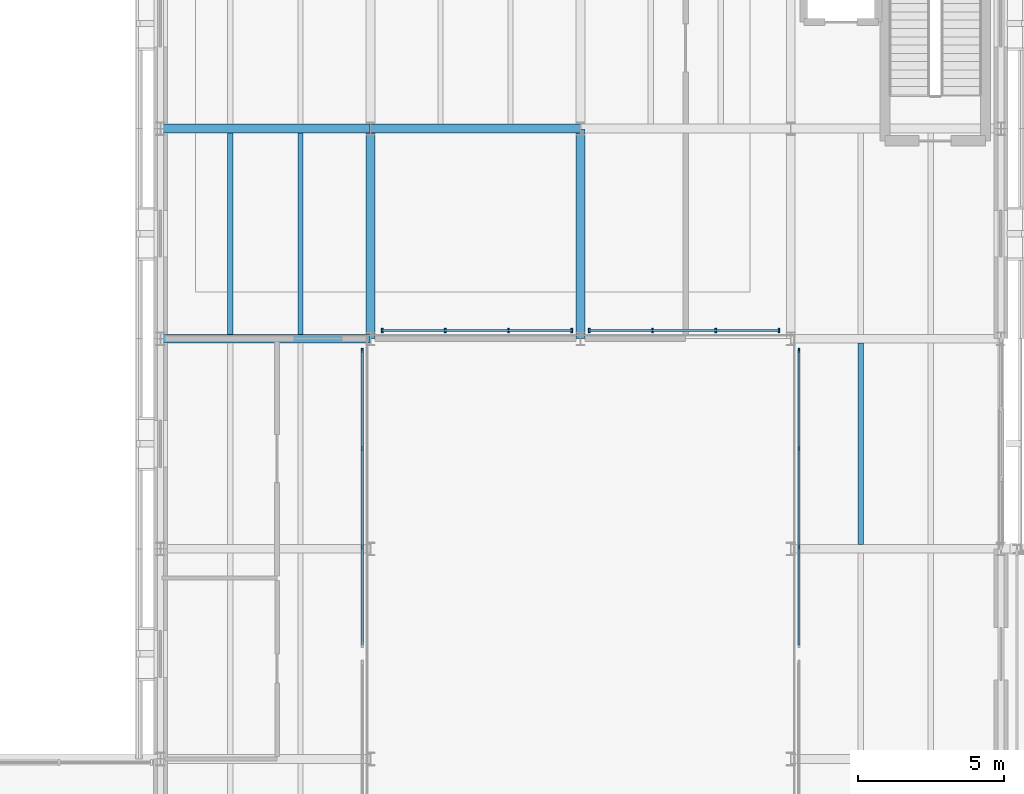
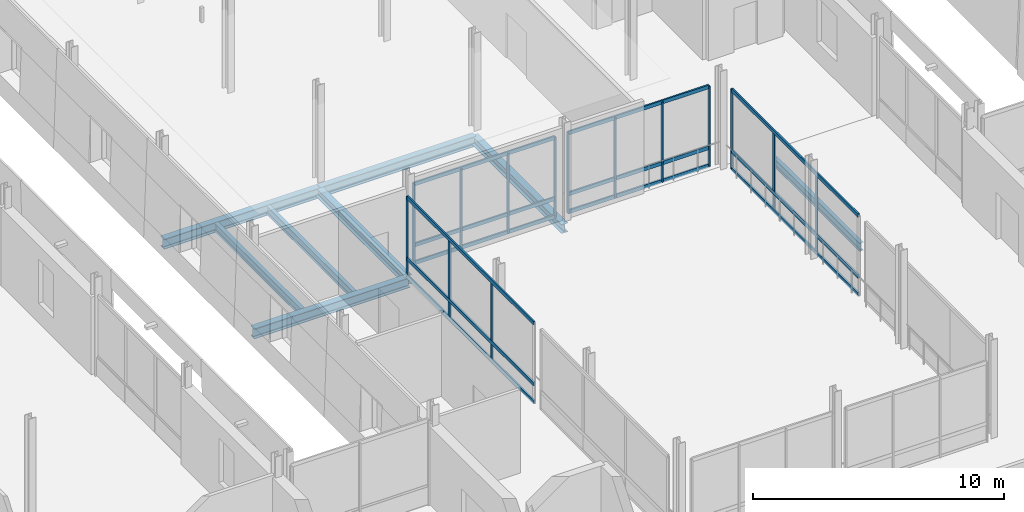
# One storey, part 30 of 121: 26 members, 8 beams, 4 elements without a shape of their own.
"""IFC4 building model written with IfcOpenShell, lengths in metres."""

from ifc_helpers import new_model, si_unit, direction, frame, origin, origin_2d, place, context, subcontext, project, spatial, rectangle, i_section, extrude, material, layer, layer_set, material_profile, profile_set, type_object, element, aggregate, save


model = new_model("IFC4")

# Units and contexts
model_context = context("Model", 3, precision=1e-05, world=origin(), true_north=direction((0.0, 1.0)))
body_context = subcontext(model_context, "Body", "Model", "MODEL_VIEW")
ifc_project = project(units=[si_unit("LENGTHUNIT", "METRE"), si_unit("AREAUNIT", "SQUARE_METRE"), si_unit("VOLUMEUNIT", "CUBIC_METRE"), si_unit("PLANEANGLEUNIT", "RADIAN"), si_unit("MASSUNIT", "GRAM", prefix="KILO")], contexts=[model_context])

# Site, building, storey
site_placement = place(None, origin())
site = spatial("IfcSite", under=ifc_project, at=site_placement, CompositionType="ELEMENT")
building_placement = place(site_placement, origin())
building = spatial("IfcBuilding", under=site, at=building_placement, Name="Narikvali Park Central Library", CompositionType="ELEMENT")
storey_placement = place(building_placement, frame((0.0, 0.0, 5.39990234375)))
storey = spatial("IfcBuildingStorey", under=building, at=storey_placement, Name="L01", CompositionType="ELEMENT", Elevation=5.39990234375)

# Curtain wall, members
ifc_material_1 = material(Name="Anodised Bronze Aluminium", Category="aluminium")
ifc_layer = layer(ifc_material_1, 0.219970703125, Name="Anodised Bronze Aluminium")
ifc_layer_set = layer_set([ifc_layer], Name="Anodised Bronze Aluminium")
curtain_wall_type = type_object("IfcCurtainWallType", Name="Atrium Tall Curtain Wall System", PredefinedType="NOTDEFINED", material=ifc_layer_set)
curtain_wall_1_placement = place(storey_placement, origin())
curtain_wall_1 = element("IfcCurtainWall", 1, at=curtain_wall_1_placement, inside=storey, type_object=curtain_wall_type, Name="Atrium Tall Curtain Wall System CW-INT-V4-L01-W2", PredefinedType="NOTDEFINED")
ifc_material_profile_1 = material_profile(ifc_material_1, rectangle(XDim=0.074951171875, YDim=0.179931640625, at=origin_2d()), Name="CW TRANSOM 75x180")
ifc_profile_set_1 = profile_set([ifc_material_profile_1], Name="Anodised Bronze Aluminium")
member_type_1 = type_object("IfcMemberType", Name="Curtain Wall Heavy Transom 75x180", PredefinedType="USERDEFINED", material=ifc_profile_set_1)
member_1_placement = place(storey_placement, frame((35.719970703125, 75.89990234375, 0.030029296875), z_axis=(0.0, 1.0, 0.0), x_axis=(-1.0, 0.0, 0.0)))
member_1 = element("IfcMember", 2, at=member_1_placement, type_object=member_type_1, Name="CW-INT-V4-L01-W2 Transom 00", ObjectType="TRANSOM", PredefinedType="USERDEFINED", context=body_context, shape_type="SweptSolid", body=[
    extrude(rectangle(XDim=0.074951171875, YDim=0.179931640625, at=origin_2d()), origin(), (0.0, 0.0, 1.0), 10.10009765625),
])
member_2_placement = place(storey_placement, frame((35.719970703125, 75.89990234375, 0.900146484375), z_axis=(0.0, 1.0, 0.0), x_axis=(-1.0, 0.0, 0.0)))
member_2 = element("IfcMember", 3, at=member_2_placement, type_object=member_type_1, Name="CW-INT-V4-L01-W2 Transom 01", ObjectType="TRANSOM", PredefinedType="USERDEFINED", context=body_context, shape_type="SweptSolid", body=[
    extrude(rectangle(XDim=0.074951171875, YDim=0.179931640625, at=origin_2d()), origin(), (0.0, 0.0, 1.0), 10.10009765625),
])
member_3_placement = place(storey_placement, frame((35.719970703125, 75.89990234375, 3.8701171875), z_axis=(0.0, 1.0, 0.0), x_axis=(-1.0, 0.0, 0.0)))
member_3 = element("IfcMember", 4, at=member_3_placement, type_object=member_type_1, Name="CW-INT-V4-L01-W2 Transom 02", ObjectType="TRANSOM", PredefinedType="USERDEFINED", context=body_context, shape_type="SweptSolid", body=[
    extrude(rectangle(XDim=0.074951171875, YDim=0.179931640625, at=origin_2d()), origin(), (0.0, 0.0, 1.0), 10.10009765625),
])

curtain_wall_2_placement = place(storey_placement, origin())
curtain_wall_2 = element("IfcCurtainWall", 5, at=curtain_wall_2_placement, inside=storey, type_object=curtain_wall_type, Name="Atrium Tall Curtain Wall System CW-INT-V4-L01-E2", PredefinedType="NOTDEFINED")
member_4_placement = place(storey_placement, frame((50.679931640625, 75.89990234375, 0.030029296875), z_axis=(0.0, 1.0, 0.0), x_axis=(-1.0, 0.0, 0.0)))
member_4 = element("IfcMember", 6, at=member_4_placement, type_object=member_type_1, Name="CW-INT-V4-L01-E2 Transom 00", ObjectType="TRANSOM", PredefinedType="USERDEFINED", context=body_context, shape_type="SweptSolid", body=[
    extrude(rectangle(XDim=0.074951171875, YDim=0.179931640625, at=origin_2d()), origin(), (0.0, 0.0, 1.0), 10.10009765625),
])
member_5_placement = place(storey_placement, frame((50.679931640625, 75.89990234375, 0.900146484375), z_axis=(0.0, 1.0, 0.0), x_axis=(-1.0, 0.0, 0.0)))
member_5 = element("IfcMember", 7, at=member_5_placement, type_object=member_type_1, Name="CW-INT-V4-L01-E2 Transom 01", ObjectType="TRANSOM", PredefinedType="USERDEFINED", context=body_context, shape_type="SweptSolid", body=[
    extrude(rectangle(XDim=0.074951171875, YDim=0.179931640625, at=origin_2d()), origin(), (0.0, 0.0, 1.0), 10.10009765625),
])
member_6_placement = place(storey_placement, frame((50.679931640625, 75.89990234375, 3.8701171875), z_axis=(0.0, 1.0, 0.0), x_axis=(-1.0, 0.0, 0.0)))
member_6 = element("IfcMember", 8, at=member_6_placement, type_object=member_type_1, Name="CW-INT-V4-L01-E2 Transom 02", ObjectType="TRANSOM", PredefinedType="USERDEFINED", context=body_context, shape_type="SweptSolid", body=[
    extrude(rectangle(XDim=0.074951171875, YDim=0.179931640625, at=origin_2d()), origin(), (0.0, 0.0, 1.0), 10.10009765625),
])

curtain_wall_3_placement = place(storey_placement, origin())
curtain_wall_3 = element("IfcCurtainWall", 9, at=curtain_wall_3_placement, inside=storey, type_object=curtain_wall_type, Name="Atrium Tall Curtain Wall System CW-INT-V4-L01-N1", PredefinedType="NOTDEFINED")
member_7_placement = place(storey_placement, frame((36.39990234375, 86.679931640625, 0.030029296875), z_axis=(1.0, 0.0, 0.0), x_axis=(0.0, 1.0, 0.0)))
member_7 = element("IfcMember", 10, at=member_7_placement, type_object=member_type_1, Name="CW-INT-V4-L01-N1 Transom 00", ObjectType="TRANSOM", PredefinedType="USERDEFINED", context=body_context, shape_type="SweptSolid", body=[
    extrude(rectangle(XDim=0.074951171875, YDim=0.179931640625, at=origin_2d()), origin(), (0.0, 0.0, 1.0), 6.5),
])
member_8_placement = place(storey_placement, frame((36.39990234375, 86.679931640625, 0.900146484375), z_axis=(1.0, 0.0, 0.0), x_axis=(0.0, 1.0, 0.0)))
member_8 = element("IfcMember", 11, at=member_8_placement, type_object=member_type_1, Name="CW-INT-V4-L01-N1 Transom 01", ObjectType="TRANSOM", PredefinedType="USERDEFINED", context=body_context, shape_type="SweptSolid", body=[
    extrude(rectangle(XDim=0.074951171875, YDim=0.179931640625, at=origin_2d()), origin(), (0.0, 0.0, 1.0), 6.5),
])
member_9_placement = place(storey_placement, frame((36.39990234375, 86.679931640625, 3.8701171875), z_axis=(1.0, 0.0, 0.0), x_axis=(0.0, 1.0, 0.0)))
member_9 = element("IfcMember", 12, at=member_9_placement, type_object=member_type_1, Name="CW-INT-V4-L01-N1 Transom 02", ObjectType="TRANSOM", PredefinedType="USERDEFINED", context=body_context, shape_type="SweptSolid", body=[
    extrude(rectangle(XDim=0.074951171875, YDim=0.179931640625, at=origin_2d()), origin(), (0.0, 0.0, 1.0), 6.5),
])

curtain_wall_4_placement = place(storey_placement, origin())
curtain_wall_4 = element("IfcCurtainWall", 13, at=curtain_wall_4_placement, inside=storey, type_object=curtain_wall_type, Name="Atrium Tall Curtain Wall System CW-INT-V4-L01-N2", PredefinedType="NOTDEFINED")
member_10_placement = place(storey_placement, frame((43.5, 86.679931640625, 0.030029296875), z_axis=(1.0, 0.0, 0.0), x_axis=(0.0, 1.0, 0.0)))
member_10 = element("IfcMember", 14, at=member_10_placement, type_object=member_type_1, Name="CW-INT-V4-L01-N2 Transom 00", ObjectType="TRANSOM", PredefinedType="USERDEFINED", context=body_context, shape_type="SweptSolid", body=[
    extrude(rectangle(XDim=0.074951171875, YDim=0.179931640625, at=origin_2d()), origin(), (0.0, 0.0, 1.0), 6.5),
])
member_11_placement = place(storey_placement, frame((43.5, 86.679931640625, 0.900146484375), z_axis=(1.0, 0.0, 0.0), x_axis=(0.0, 1.0, 0.0)))
member_11 = element("IfcMember", 15, at=member_11_placement, type_object=member_type_1, Name="CW-INT-V4-L01-N2 Transom 01", ObjectType="TRANSOM", PredefinedType="USERDEFINED", context=body_context, shape_type="SweptSolid", body=[
    extrude(rectangle(XDim=0.074951171875, YDim=0.179931640625, at=origin_2d()), origin(), (0.0, 0.0, 1.0), 6.5),
])
member_12_placement = place(storey_placement, frame((43.5, 86.679931640625, 3.8701171875), z_axis=(1.0, 0.0, 0.0), x_axis=(0.0, 1.0, 0.0)))
member_12 = element("IfcMember", 16, at=member_12_placement, type_object=member_type_1, Name="CW-INT-V4-L01-N2 Transom 02", ObjectType="TRANSOM", PredefinedType="USERDEFINED", context=body_context, shape_type="SweptSolid", body=[
    extrude(rectangle(XDim=0.074951171875, YDim=0.179931640625, at=origin_2d()), origin(), (0.0, 0.0, 1.0), 6.5),
])

# Member
ifc_material_profile_2 = material_profile(ifc_material_1, rectangle(XDim=0.06005859375, YDim=0.14990234375, at=origin_2d()), Name="CW MULLION 60x150")
ifc_profile_set_2 = profile_set([ifc_material_profile_2], Name="Anodised Bronze Aluminium")
member_type_2 = type_object("IfcMemberType", Name="Curtain Wall Mullion 60x150", PredefinedType="MULLION", material=ifc_profile_set_2)
member_13_placement = place(storey_placement, frame((35.719970703125, 79.2666015625, -0.010009765625), z_axis=(0.0, 0.0, 1.0), x_axis=(1.0, 0.0, 0.0)))
member_13 = element("IfcMember", 17, at=member_13_placement, type_object=member_type_2, Name="CW-INT-V4-L01-W2 Mullion 01", PredefinedType="MULLION", context=body_context, shape_type="SweptSolid", body=[
    extrude(rectangle(XDim=0.06005859375, YDim=0.14990234375, at=origin_2d()), origin(), (0.0, 0.0, 1.0), 3.91015625),
])

member_14_placement = place(storey_placement, frame((35.719970703125, 82.63330078125, -0.010009765625), z_axis=(0.0, 0.0, 1.0), x_axis=(1.0, 0.0, 0.0)))
member_14 = element("IfcMember", 18, at=member_14_placement, type_object=member_type_2, Name="CW-INT-V4-L01-W2 Mullion 02", PredefinedType="MULLION", context=body_context, shape_type="SweptSolid", body=[
    extrude(rectangle(XDim=0.06005859375, YDim=0.14990234375, at=origin_2d()), origin(), (0.0, 0.0, 1.0), 3.91015625),
])

member_15_placement = place(storey_placement, frame((35.719970703125, 86.0, -0.010009765625), z_axis=(0.0, 0.0, 1.0), x_axis=(1.0, 0.0, 0.0)))
member_15 = element("IfcMember", 19, at=member_15_placement, type_object=member_type_2, Name="CW-INT-V4-L01-W2 Mullion 03", PredefinedType="MULLION", context=body_context, shape_type="SweptSolid", body=[
    extrude(rectangle(XDim=0.06005859375, YDim=0.14990234375, at=origin_2d()), origin(), (0.0, 0.0, 1.0), 3.91015625),
])

aggregate(curtain_wall_1, [member_13, member_14, member_15, member_1, member_2, member_3])

member_16_placement = place(storey_placement, frame((50.679931640625, 79.2666015625, -0.010009765625), z_axis=(0.0, 0.0, 1.0), x_axis=(1.0, 0.0, 0.0)))
member_16 = element("IfcMember", 20, at=member_16_placement, type_object=member_type_2, Name="CW-INT-V4-L01-E2 Mullion 01", PredefinedType="MULLION", context=body_context, shape_type="SweptSolid", body=[
    extrude(rectangle(XDim=0.06005859375, YDim=0.14990234375, at=origin_2d()), origin(), (0.0, 0.0, 1.0), 3.91015625),
])

member_17_placement = place(storey_placement, frame((50.679931640625, 82.63330078125, -0.010009765625), z_axis=(0.0, 0.0, 1.0), x_axis=(1.0, 0.0, 0.0)))
member_17 = element("IfcMember", 21, at=member_17_placement, type_object=member_type_2, Name="CW-INT-V4-L01-E2 Mullion 02", PredefinedType="MULLION", context=body_context, shape_type="SweptSolid", body=[
    extrude(rectangle(XDim=0.06005859375, YDim=0.14990234375, at=origin_2d()), origin(), (0.0, 0.0, 1.0), 3.91015625),
])

member_18_placement = place(storey_placement, frame((50.679931640625, 86.0, -0.010009765625), z_axis=(0.0, 0.0, 1.0), x_axis=(1.0, 0.0, 0.0)))
member_18 = element("IfcMember", 22, at=member_18_placement, type_object=member_type_2, Name="CW-INT-V4-L01-E2 Mullion 03", PredefinedType="MULLION", context=body_context, shape_type="SweptSolid", body=[
    extrude(rectangle(XDim=0.06005859375, YDim=0.14990234375, at=origin_2d()), origin(), (0.0, 0.0, 1.0), 3.91015625),
])

aggregate(curtain_wall_2, [member_16, member_17, member_18, member_4, member_5, member_6])

member_19_placement = place(storey_placement, frame((36.39990234375, 86.679931640625, -0.010009765625), z_axis=(0.0, 0.0, 1.0), x_axis=(1.0, 0.0, 0.0)))
member_19 = element("IfcMember", 23, at=member_19_placement, type_object=member_type_2, Name="CW-INT-V4-L01-N1 Mullion 00", PredefinedType="MULLION", context=body_context, shape_type="SweptSolid", body=[
    extrude(rectangle(XDim=0.06005859375, YDim=0.14990234375, at=origin_2d()), origin(), (0.0, 0.0, 1.0), 3.91015625),
])

member_20_placement = place(storey_placement, frame((38.566650390625, 86.679931640625, -0.010009765625), z_axis=(0.0, 0.0, 1.0), x_axis=(1.0, 0.0, 0.0)))
member_20 = element("IfcMember", 24, at=member_20_placement, type_object=member_type_2, Name="CW-INT-V4-L01-N1 Mullion 01", PredefinedType="MULLION", context=body_context, shape_type="SweptSolid", body=[
    extrude(rectangle(XDim=0.06005859375, YDim=0.14990234375, at=origin_2d()), origin(), (0.0, 0.0, 1.0), 3.91015625),
])

member_21_placement = place(storey_placement, frame((40.7333984375, 86.679931640625, -0.010009765625), z_axis=(0.0, 0.0, 1.0), x_axis=(1.0, 0.0, 0.0)))
member_21 = element("IfcMember", 25, at=member_21_placement, type_object=member_type_2, Name="CW-INT-V4-L01-N1 Mullion 02", PredefinedType="MULLION", context=body_context, shape_type="SweptSolid", body=[
    extrude(rectangle(XDim=0.06005859375, YDim=0.14990234375, at=origin_2d()), origin(), (0.0, 0.0, 1.0), 3.91015625),
])

member_22_placement = place(storey_placement, frame((42.89990234375, 86.679931640625, -0.010009765625), z_axis=(0.0, 0.0, 1.0), x_axis=(1.0, 0.0, 0.0)))
member_22 = element("IfcMember", 26, at=member_22_placement, type_object=member_type_2, Name="CW-INT-V4-L01-N1 Mullion 03", PredefinedType="MULLION", context=body_context, shape_type="SweptSolid", body=[
    extrude(rectangle(XDim=0.06005859375, YDim=0.14990234375, at=origin_2d()), origin(), (0.0, 0.0, 1.0), 3.91015625),
])

aggregate(curtain_wall_3, [member_19, member_20, member_21, member_22, member_7, member_8, member_9])

member_23_placement = place(storey_placement, frame((43.5, 86.679931640625, -0.010009765625), z_axis=(0.0, 0.0, 1.0), x_axis=(1.0, 0.0, 0.0)))
member_23 = element("IfcMember", 27, at=member_23_placement, type_object=member_type_2, Name="CW-INT-V4-L01-N2 Mullion 00", PredefinedType="MULLION", context=body_context, shape_type="SweptSolid", body=[
    extrude(rectangle(XDim=0.06005859375, YDim=0.14990234375, at=origin_2d()), origin(), (0.0, 0.0, 1.0), 3.91015625),
])

member_24_placement = place(storey_placement, frame((45.666748046875, 86.679931640625, -0.010009765625), z_axis=(0.0, 0.0, 1.0), x_axis=(1.0, 0.0, 0.0)))
member_24 = element("IfcMember", 28, at=member_24_placement, type_object=member_type_2, Name="CW-INT-V4-L01-N2 Mullion 01", PredefinedType="MULLION", context=body_context, shape_type="SweptSolid", body=[
    extrude(rectangle(XDim=0.06005859375, YDim=0.14990234375, at=origin_2d()), origin(), (0.0, 0.0, 1.0), 3.91015625),
])

member_25_placement = place(storey_placement, frame((47.833251953125, 86.679931640625, -0.010009765625), z_axis=(0.0, 0.0, 1.0), x_axis=(1.0, 0.0, 0.0)))
member_25 = element("IfcMember", 29, at=member_25_placement, type_object=member_type_2, Name="CW-INT-V4-L01-N2 Mullion 02", PredefinedType="MULLION", context=body_context, shape_type="SweptSolid", body=[
    extrude(rectangle(XDim=0.06005859375, YDim=0.14990234375, at=origin_2d()), origin(), (0.0, 0.0, 1.0), 3.91015625),
])

member_26_placement = place(storey_placement, frame((50.0, 86.679931640625, -0.010009765625), z_axis=(0.0, 0.0, 1.0), x_axis=(1.0, 0.0, 0.0)))
member_26 = element("IfcMember", 30, at=member_26_placement, type_object=member_type_2, Name="CW-INT-V4-L01-N2 Mullion 03", PredefinedType="MULLION", context=body_context, shape_type="SweptSolid", body=[
    extrude(rectangle(XDim=0.06005859375, YDim=0.14990234375, at=origin_2d()), origin(), (0.0, 0.0, 1.0), 3.91015625),
])

aggregate(curtain_wall_4, [member_23, member_24, member_25, member_26, member_10, member_11, member_12])

# Beams
ifc_material_2 = material(Name="Steel S355", Category="steel")
ifc_material_profile_3 = material_profile(ifc_material_2, i_section(OverallWidth=0.181884765625, OverallDepth=0.404052734375, WebThickness=0.009765625, FlangeThickness=0.015380859375, FilletRadius=0.02099609375, at=origin_2d()), Name="IPEO 400")
ifc_profile_set_3 = profile_set([ifc_material_profile_3], Name="Steel S355")
beam_type_1 = type_object("IfcBeamType", Name="Gallery Floor Joist IPEO400", PredefinedType="JOIST", material=ifc_profile_set_3)
for number, where, z_axis, x_axis, name in (
    (31, (31.199951171875, 86.550048828125, -0.48193359375), (0.0, 1.0, 0.0), (-1.0, 0.0, 0.0), "V4 L01 Composite Joist 1"),
    (32, (33.60009765625, 86.550048828125, -0.48193359375), (0.0, 1.0, 0.0), (-1.0, 0.0, 0.0), "V4 L01 Composite Joist 2"),
    (33, (52.800048828125, 79.35009765625, -0.48193359375), (0.0, 1.0, 0.0), (-1.0, 0.0, 0.0), "V4 L01 Composite Joist 1"),
):
    element("IfcBeam", number, at=place(storey_placement, frame(where, z_axis=z_axis, x_axis=x_axis)), inside=storey, type_object=beam_type_1, Name=name, PredefinedType="JOIST", context=body_context, shape_type="SweptSolid", body=[
        extrude(i_section(OverallWidth=0.181884765625, OverallDepth=0.404052734375, WebThickness=0.009765625, FlangeThickness=0.015380859375, FilletRadius=0.02099609375, at=origin_2d()), origin(), (0.0, 0.0, 1.0), 6.89990234375),
    ])
ifc_material_profile_4 = material_profile(ifc_material_2, i_section(OverallWidth=0.300048828125, OverallDepth=0.43994140625, WebThickness=0.011474609375, FlangeThickness=0.02099609375, FilletRadius=0.027099609375, at=origin_2d()), Name="HEA 450")
ifc_profile_set_4 = profile_set([ifc_material_profile_4], Name="Steel S355")
beam_type_2 = type_object("IfcBeamType", Name="Primary Girder HEA450", PredefinedType="BEAM", material=ifc_profile_set_4)
for number, where, z_axis, x_axis, name in (
    (34, (36.0, 86.407958984375, -0.5), (0.0, 1.0, 0.0), (-1.0, 0.0, 0.0), "V4 L01 Girder Y"),
    (35, (43.199951171875, 86.407958984375, -0.5), (0.0, 1.0, 0.0), (-1.0, 0.0, 0.0), "V4 L01 Girder Y"),
):
    element("IfcBeam", number, at=place(storey_placement, frame(where, z_axis=z_axis, x_axis=x_axis)), inside=storey, type_object=beam_type_2, Name=name, PredefinedType="BEAM", context=body_context, shape_type="SweptSolid", body=[
        extrude(i_section(OverallWidth=0.300048828125, OverallDepth=0.43994140625, WebThickness=0.011474609375, FlangeThickness=0.02099609375, FilletRadius=0.027099609375, at=origin_2d()), origin(), (0.0, 0.0, 1.0), 7.18408203125),
    ])
ifc_material_profile_5 = material_profile(ifc_material_2, i_section(OverallWidth=0.300048828125, OverallDepth=0.489990234375, WebThickness=0.011962890625, FlangeThickness=0.02294921875, FilletRadius=0.027099609375, at=origin_2d()), Name="HEA 500")
ifc_profile_set_5 = profile_set([ifc_material_profile_5], Name="Steel S355")
beam_type_3 = type_object("IfcBeamType", Name="Primary Girder HEA500", PredefinedType="BEAM", material=ifc_profile_set_5)
for number, where, z_axis, x_axis, name in (
    (36, (28.80810546875, 86.39990234375, -0.52490234375), (1.0, 0.0, 0.0), (0.0, 1.0, 0.0), "V4 L01 Girder X"),
    (37, (28.80810546875, 93.60009765625, -0.52490234375), (1.0, 0.0, 0.0), (0.0, 1.0, 0.0), "V4 L01 Girder X"),
    (38, (36.008056640625, 93.60009765625, -0.52490234375), (1.0, 0.0, 0.0), (0.0, 1.0, 0.0), "V4 L01 Girder X"),
):
    element("IfcBeam", number, at=place(storey_placement, frame(where, z_axis=z_axis, x_axis=x_axis)), inside=storey, type_object=beam_type_3, Name=name, PredefinedType="BEAM", context=body_context, shape_type="SweptSolid", body=[
        extrude(i_section(OverallWidth=0.300048828125, OverallDepth=0.489990234375, WebThickness=0.011962890625, FlangeThickness=0.02294921875, FilletRadius=0.027099609375, at=origin_2d()), origin(), (0.0, 0.0, 1.0), 7.183837890625),
    ])

save(model, "model.ifc")
